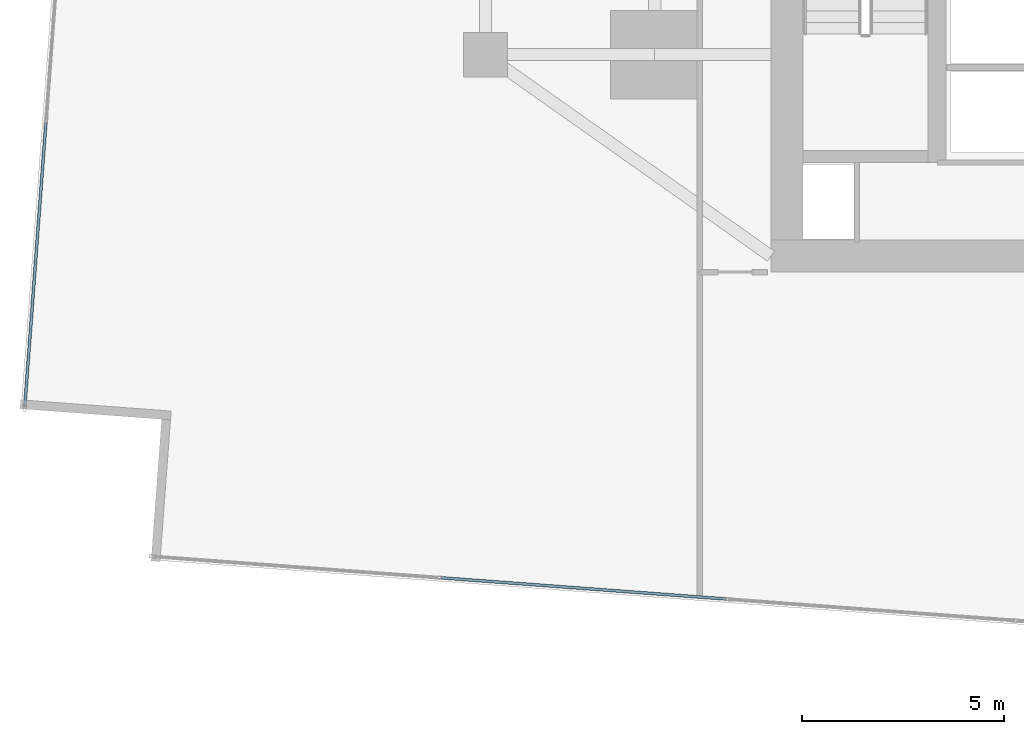
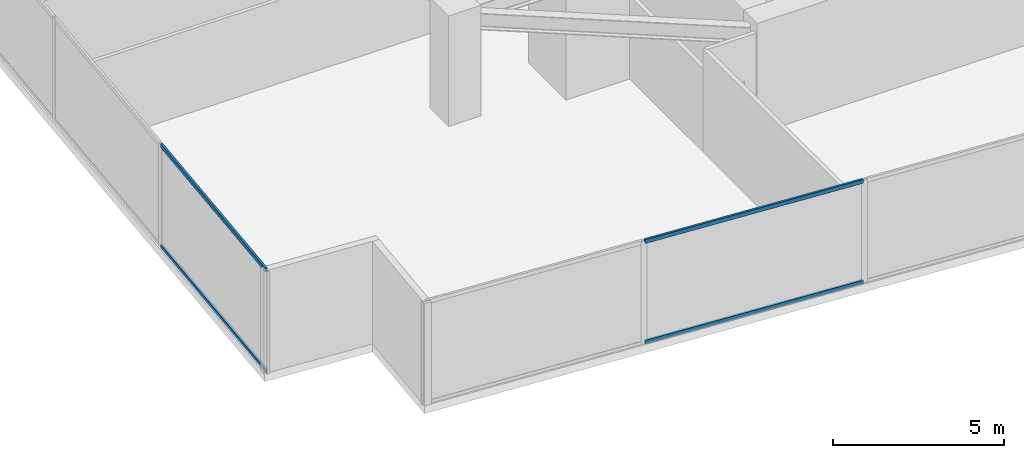
# One storey, part 3 of 30: 4 members, 2 elements without a shape of their own.
"""IFC4 building model written with IfcOpenShell, lengths in metres."""

from ifc_helpers import new_model, si_unit, direction, frame, origin, origin_2d, place, context, subcontext, project, spatial, hollow_rectangle, extrude, source, transform, mapped, material, material_profile, profile_set, type_object, type_shapes, element, aggregate, save


model = new_model("IFC4")

# Units and contexts
model_context = context("Model", 3, precision=1e-05, world=origin(), true_north=direction((0.0, 1.0)))
body_context = subcontext(model_context, "Body", "Model", "MODEL_VIEW")
ifc_project = project(units=[si_unit("LENGTHUNIT", "METRE"), si_unit("AREAUNIT", "SQUARE_METRE"), si_unit("VOLUMEUNIT", "CUBIC_METRE"), si_unit("PLANEANGLEUNIT", "RADIAN"), si_unit("MASSUNIT", "GRAM", prefix="KILO")], contexts=[model_context])

# Site, building, storey
site_placement = place(None, origin())
site = spatial("IfcSite", under=ifc_project, at=site_placement, CompositionType="ELEMENT")
building_placement = place(site_placement, origin())
building = spatial("IfcBuilding", under=site, at=building_placement, Name="Krantzveldt Concourse Tower", CompositionType="ELEMENT")
storey_placement = place(building_placement, frame((0.0, 0.0, 48.699951171875)))
storey = spatial("IfcBuildingStorey", under=building, at=storey_placement, Name="L11", CompositionType="ELEMENT", Elevation=48.699951171875)

# Curtain wall, members
ifc_material = material(Name="Anodised aluminium 6063-T6", Category="aluminium")
curtain_wall_type = type_object("IfcCurtainWallType", Name="CW2", PredefinedType="USERDEFINED", material=ifc_material)
curtain_wall_1_placement = place(storey_placement, origin())
curtain_wall_1 = element("IfcCurtainWall", 1, at=curtain_wall_1_placement, inside=storey, type_object=curtain_wall_type, Name="CW-L11-F04", ObjectType="UNITISED CURTAIN WALL", PredefinedType="USERDEFINED")
ifc_material_profile = material_profile(ifc_material, hollow_rectangle(XDim=0.070068359375, YDim=0.139892578125, WallThickness=0.0048828125, at=origin_2d()), Name="Anodised aluminium 6063-T6", Category="aluminium")
ifc_profile_set = profile_set([ifc_material_profile], Name="Anodised aluminium 6063-T6 - ALU-TRAN 140x70x5")
member_type = type_object("IfcMemberType", Name="CW-TRN-150", PredefinedType="USERDEFINED", material=ifc_profile_set)
shared_shape_1 = source(origin(), body_context, "Body", "SweptSolid", [
    extrude(hollow_rectangle(XDim=0.070068359375, YDim=0.139892578125, WallThickness=0.0048828125, at=origin_2d()), origin(), (0.0, 0.0, 1.0), 7.0966796875),
])
member_1_placement = place(storey_placement, frame((19.89501953125, 2.918212890625, 0.03515625), z_axis=(0.997248101174, -0.074136527461, 0.0), x_axis=(0.074136527461, 0.997248101174, 0.0)))
member_1 = element("IfcMember", 2, at=member_1_placement, type_object=member_type, Name="CW-Z12 transom 2.1", ObjectType="TRANSOM", PredefinedType="USERDEFINED", context=body_context, shape_type="MappedRepresentation", body=[
    mapped(shared_shape_1, transform((0.0, 0.0, 0.0), x_axis=(1.0, 0.0, 0.0), y_axis=(0.0, 1.0, 0.0), z_axis=(0.0, 0.0, 1.0), scale=1.0)),
])
member_2_placement = place(storey_placement, frame((19.89501953125, 2.918212890625, 3.635009765625), z_axis=(0.997248101174, -0.074136527461, 0.0), x_axis=(0.074136527461, 0.997248101174, 0.0)))
member_2 = element("IfcMember", 3, at=member_2_placement, type_object=member_type, Name="CW-Z12 transom 2.2", ObjectType="TRANSOM", PredefinedType="USERDEFINED", context=body_context, shape_type="MappedRepresentation", body=[
    mapped(shared_shape_1, transform((0.0, 0.0, 0.0), x_axis=(1.0, 0.0, 0.0), y_axis=(0.0, 1.0, 0.0), z_axis=(0.0, 0.0, 1.0), scale=1.0)),
])
aggregate(curtain_wall_1, [member_1, member_2])

curtain_wall_2_placement = place(storey_placement, origin())
curtain_wall_2 = element("IfcCurtainWall", 4, at=curtain_wall_2_placement, inside=storey, type_object=curtain_wall_type, Name="CW-L11-F01", ObjectType="UNITISED CURTAIN WALL", PredefinedType="USERDEFINED")
shared_shape_2 = source(origin(), body_context, "Body", "SweptSolid", [
    extrude(hollow_rectangle(XDim=0.070068359375, YDim=0.139892578125, WallThickness=0.0048828125, at=origin_2d()), origin(), (0.0, 0.0, 1.0), 7.061767578125),
])
type_shapes(member_type, [shared_shape_1, shared_shape_2])
member_3_placement = place(storey_placement, frame((10.09375, 14.21728515625, 0.03515625), z_axis=(-0.074123832627, -0.997249044841, 0.0), x_axis=(0.997249044841, -0.074123832627, 0.0)))
member_3 = element("IfcMember", 5, at=member_3_placement, type_object=member_type, Name="CW-Z12 transom 6.1", ObjectType="TRANSOM", PredefinedType="USERDEFINED", context=body_context, shape_type="MappedRepresentation", body=[
    mapped(shared_shape_2, transform((0.0, 0.0, 0.0), x_axis=(1.0, 0.0, 0.0), y_axis=(0.0, 1.0, 0.0), z_axis=(0.0, 0.0, 1.0), scale=1.0)),
])
member_4_placement = place(storey_placement, frame((10.09375, 14.21728515625, 3.635009765625), z_axis=(-0.074123832627, -0.997249044841, 0.0), x_axis=(0.997249044841, -0.074123832627, 0.0)))
member_4 = element("IfcMember", 6, at=member_4_placement, type_object=member_type, Name="CW-Z12 transom 6.2", ObjectType="TRANSOM", PredefinedType="USERDEFINED", context=body_context, shape_type="MappedRepresentation", body=[
    mapped(shared_shape_2, transform((0.0, 0.0, 0.0), x_axis=(1.0, 0.0, 0.0), y_axis=(0.0, 1.0, 0.0), z_axis=(0.0, 0.0, 1.0), scale=1.0)),
])
aggregate(curtain_wall_2, [member_3, member_4])

save(model, "model.ifc")
